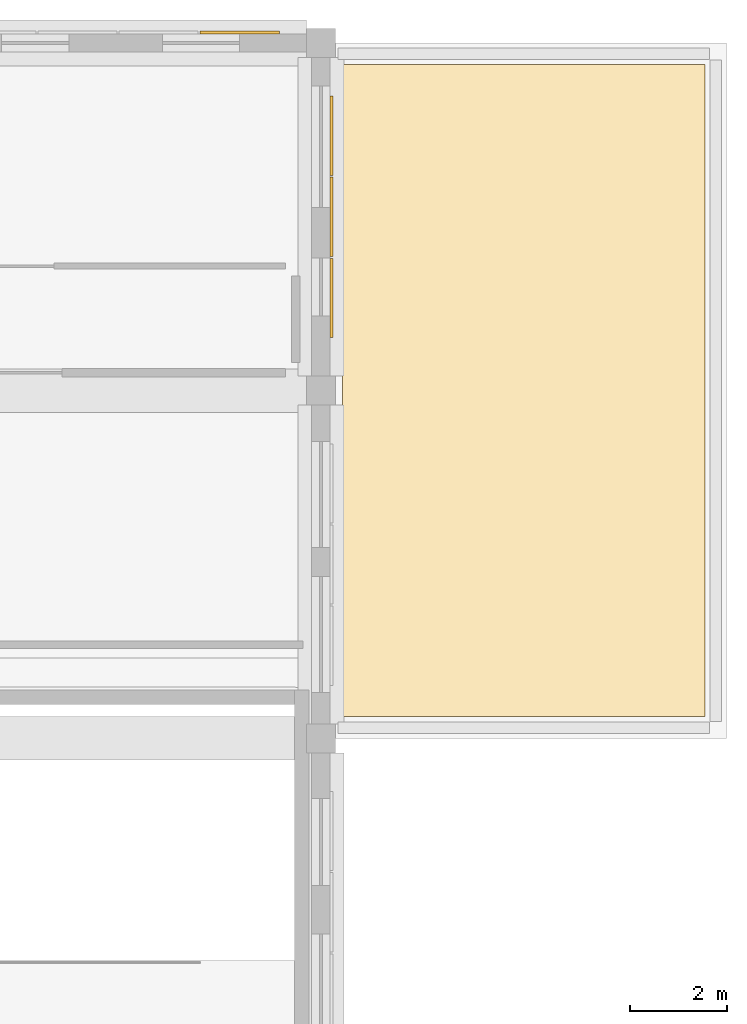
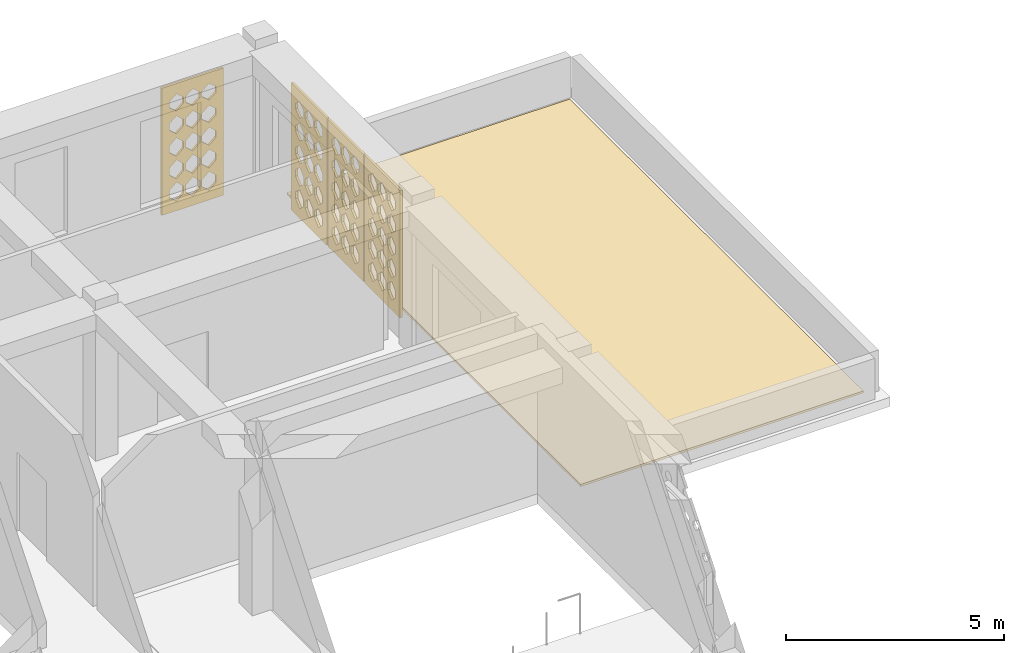
# One storey, part 28 of 28: 5 coverings.
"""IFC4 building model written with IfcOpenShell, lengths in metres."""

from ifc_helpers import new_model, si_unit, derived_unit, direction, frame, origin, place, context, subcontext, project, spatial, polyline, outline, extrude, material, layer, layer_set, type_object, element, save


model = new_model("IFC4")

# Units and contexts
model_context = context("Model", 3, precision=1e-05, world=origin(), true_north=direction((0.0, 1.0)))
body_context = subcontext(model_context, "Body", "Model", "MODEL_VIEW")
ifc_project = project(units=[si_unit("LENGTHUNIT", "METRE"), si_unit("AREAUNIT", "SQUARE_METRE"), si_unit("VOLUMEUNIT", "CUBIC_METRE"), si_unit("PLANEANGLEUNIT", "RADIAN"), si_unit("MASSUNIT", "GRAM", prefix="KILO"), derived_unit("THERMALTRANSMITTANCEUNIT", [(si_unit("POWERUNIT", "WATT"), 1), (si_unit("LENGTHUNIT", "METRE"), -2), (si_unit("THERMODYNAMICTEMPERATUREUNIT", "KELVIN"), -1)])], contexts=[model_context])

# Site, building, storey
site_placement = place(None, origin())
site = spatial("IfcSite", under=ifc_project, at=site_placement, CompositionType="ELEMENT")
building_placement = place(site_placement, origin())
building = spatial("IfcBuilding", under=site, at=building_placement, Name="Veybourne Emporium", CompositionType="ELEMENT")
storey_placement = place(building_placement, frame((0.0, 0.0, 32.10009765625)))
storey = spatial("IfcBuildingStorey", under=building, at=storey_placement, Name="L07", CompositionType="ELEMENT", Elevation=32.10009765625)

# Coverings
ifc_material_1 = material(Name="Single-Ply Warm Roof Membrane", Category="membrane")
ifc_layer_1 = layer(ifc_material_1, 0.06005859375)
ifc_layer_set_1 = layer_set([ifc_layer_1], Name="Single-Ply Warm Roof Membrane")
covering_type_1 = type_object("IfcCoveringType", Name="Roofing_RFG-01", PredefinedType="ROOFING", material=ifc_layer_set_1)
covering_1_placement = place(storey_placement, origin())
element("IfcCovering", 1, at=covering_1_placement, inside=storey, type_object=covering_type_1, Name="L07 warm-roof waterproofing membrane 2.1", PredefinedType="ROOFING", context=body_context, shape_type="SweptSolid", body=[
    extrude(outline(polyline([(50.85009765625, 49.949951171875), (58.35009765625, 49.949951171875), (58.35009765625, 36.449951171875), (50.85009765625, 36.449951171875), (50.85009765625, 49.949951171875)])), origin(), (0.0, 0.0, 1.0), 0.059814453125),
])
ifc_material_2 = material(Name="Warm-White Perforated Aluminium Screen Alloy", Category="aluminium")
ifc_layer_2 = layer(ifc_material_2, 0.06005859375)
ifc_layer_set_2 = layer_set([ifc_layer_2], Name="Warm-White Perforated Aluminium Screen Alloy")
covering_type_2 = type_object("IfcCoveringType", Name="WaveScreen_SCR-02", PredefinedType="CLADDING", material=ifc_layer_set_2)
covering_2_placement = place(storey_placement, frame((50.64794921875, 48.47998046875, 1.844970703125), z_axis=(-1.0, 0.0, 0.0), x_axis=(0.0, -1.0, 0.0)))
element("IfcCovering", 2, at=covering_2_placement, inside=storey, type_object=covering_type_2, Name="L07 wave-perforated aluminium screen SCR-02 (21.1)", PredefinedType="CLADDING", context=body_context, shape_type="SweptSolid", body=[
    extrude(outline(polyline([(-0.81982421875, -1.78515625), (0.81982421875, -1.78515625), (0.81982421875, 1.78515625), (-0.81982421875, 1.78515625), (-0.81982421875, -1.78515625)]), holes=[polyline([(-0.433349609375, -0.98291015625), (-0.2470703125, -1.155029296875), (-0.2470703125, -1.348876953125), (-0.433349609375, -1.521240234375), (-0.61962890625, -1.348876953125), (-0.61962890625, -1.155029296875), (-0.433349609375, -0.98291015625)]), polyline([(-0.433349609375, -0.36279296875), (-0.2470703125, -0.53125), (-0.2470703125, -0.720703125), (-0.433349609375, -0.88916015625), (-0.61962890625, -0.720703125), (-0.61962890625, -0.53125), (-0.433349609375, -0.36279296875)]), polyline([(-0.433349609375, 0.254638671875), (-0.2470703125, 0.091796875), (-0.2470703125, -0.091796875), (-0.433349609375, -0.254638671875), (-0.61962890625, -0.091796875), (-0.61962890625, 0.091796875), (-0.433349609375, 0.254638671875)]), polyline([(-0.433349609375, 0.870361328125), (-0.2470703125, 0.7138671875), (-0.2470703125, 0.5380859375), (-0.433349609375, 0.381591796875), (-0.61962890625, 0.5380859375), (-0.61962890625, 0.7138671875), (-0.433349609375, 0.870361328125)]), polyline([(-0.433349609375, 1.484375), (-0.2470703125, 1.335693359375), (-0.2470703125, 1.16845703125), (-0.433349609375, 1.019775390625), (-0.61962890625, 1.16845703125), (-0.61962890625, 1.335693359375), (-0.433349609375, 1.484375)]), polyline([(0.0, -0.98291015625), (0.186279296875, -1.155029296875), (0.186279296875, -1.348876953125), (0.0, -1.521240234375), (-0.186279296875, -1.348876953125), (-0.186279296875, -1.155029296875), (0.0, -0.98291015625)]), polyline([(0.0, -0.359619140625), (0.186279296875, -0.530029296875), (0.186279296875, -0.721923828125), (0.0, -0.892333984375), (-0.186279296875, -0.721923828125), (-0.186279296875, -0.530029296875), (0.0, -0.359619140625)]), polyline([(0.0, 0.2587890625), (0.186279296875, 0.093017578125), (0.186279296875, -0.093017578125), (0.0, -0.2587890625), (-0.186279296875, -0.093017578125), (-0.186279296875, 0.093017578125), (0.0, 0.2587890625)]), polyline([(0.0, 0.875), (0.186279296875, 0.7158203125), (0.186279296875, 0.536376953125), (0.0, 0.376953125), (-0.186279296875, 0.536376953125), (-0.186279296875, 0.7158203125), (0.0, 0.875)]), polyline([(0.0, 1.48974609375), (0.186279296875, 1.337646484375), (0.186279296875, 1.16650390625), (0.0, 1.01416015625), (-0.186279296875, 1.16650390625), (-0.186279296875, 1.337646484375), (0.0, 1.48974609375)]), polyline([(0.433349609375, -0.98291015625), (0.61962890625, -1.155029296875), (0.61962890625, -1.348876953125), (0.433349609375, -1.521240234375), (0.2470703125, -1.348876953125), (0.2470703125, -1.155029296875), (0.433349609375, -0.98291015625)]), polyline([(0.433349609375, -0.357177734375), (0.61962890625, -0.529296875), (0.61962890625, -0.722900390625), (0.433349609375, -0.89501953125), (0.2470703125, -0.722900390625), (0.2470703125, -0.529296875), (0.433349609375, -0.357177734375)]), polyline([(0.433349609375, 0.262451171875), (0.61962890625, 0.094482421875), (0.61962890625, -0.094482421875), (0.433349609375, -0.262451171875), (0.2470703125, -0.094482421875), (0.2470703125, 0.094482421875), (0.433349609375, 0.262451171875)]), polyline([(0.433349609375, 0.879638671875), (0.61962890625, 0.71728515625), (0.61962890625, 0.53466796875), (0.433349609375, 0.372314453125), (0.2470703125, 0.53466796875), (0.2470703125, 0.71728515625), (0.433349609375, 0.879638671875)]), polyline([(0.433349609375, 1.4951171875), (0.61962890625, 1.339599609375), (0.61962890625, 1.16455078125), (0.433349609375, 1.0087890625), (0.2470703125, 1.16455078125), (0.2470703125, 1.339599609375), (0.433349609375, 1.4951171875)])]), origin(), (0.0, 0.0, 1.0), 0.06005859375),
])
covering_3_placement = place(storey_placement, frame((48.719970703125, 50.64794921875, 1.844970703125), z_axis=(0.0, -1.0, 0.0), x_axis=(1.0, 0.0, 0.0)))
element("IfcCovering", 3, at=covering_3_placement, inside=storey, type_object=covering_type_2, Name="L07 wave-perforated aluminium screen SCR-02 (22.4)", PredefinedType="CLADDING", context=body_context, shape_type="SweptSolid", body=[
    extrude(outline(polyline([(-0.81982421875, -1.78515625), (0.81982421875, -1.78515625), (0.81982421875, 1.78515625), (-0.81982421875, 1.78515625), (-0.81982421875, -1.78515625)]), holes=[polyline([(-0.433349609375, -0.98291015625), (-0.2470703125, -1.155029296875), (-0.2470703125, -1.348876953125), (-0.433349609375, -1.521240234375), (-0.61962890625, -1.348876953125), (-0.61962890625, -1.155029296875), (-0.433349609375, -0.98291015625)]), polyline([(-0.433349609375, -0.3583984375), (-0.2470703125, -0.52978515625), (-0.2470703125, -0.722412109375), (-0.433349609375, -0.8935546875), (-0.61962890625, -0.722412109375), (-0.61962890625, -0.52978515625), (-0.433349609375, -0.3583984375)]), polyline([(-0.433349609375, 0.260498046875), (-0.2470703125, 0.09375), (-0.2470703125, -0.09375), (-0.433349609375, -0.260498046875), (-0.61962890625, -0.09375), (-0.61962890625, 0.09375), (-0.433349609375, 0.260498046875)]), polyline([(-0.433349609375, 0.877197265625), (-0.2470703125, 0.71630859375), (-0.2470703125, 0.53564453125), (-0.433349609375, 0.374755859375), (-0.61962890625, 0.53564453125), (-0.61962890625, 0.71630859375), (-0.433349609375, 0.877197265625)]), polyline([(-0.433349609375, 1.4921875), (-0.2470703125, 1.33837890625), (-0.2470703125, 1.16552734375), (-0.433349609375, 1.01171875), (-0.61962890625, 1.16552734375), (-0.61962890625, 1.33837890625), (-0.433349609375, 1.4921875)]), polyline([(0.0, -0.98291015625), (0.186279296875, -1.155029296875), (0.186279296875, -1.348876953125), (0.0, -1.521240234375), (-0.186279296875, -1.348876953125), (-0.186279296875, -1.155029296875), (0.0, -0.98291015625)]), polyline([(0.0, -0.361328125), (0.186279296875, -0.53076171875), (0.186279296875, -0.72119140625), (0.0, -0.890625), (-0.186279296875, -0.72119140625), (-0.186279296875, -0.53076171875), (0.0, -0.361328125)]), polyline([(0.0, 0.256591796875), (0.186279296875, 0.09228515625), (0.186279296875, -0.09228515625), (0.0, -0.256591796875), (-0.186279296875, -0.09228515625), (-0.186279296875, 0.09228515625), (0.0, 0.256591796875)]), polyline([(0.0, 0.87255859375), (0.186279296875, 0.714599609375), (0.186279296875, 0.537353515625), (0.0, 0.37939453125), (-0.186279296875, 0.537353515625), (-0.186279296875, 0.714599609375), (0.0, 0.87255859375)]), polyline([(0.0, 1.48681640625), (0.186279296875, 1.33642578125), (0.186279296875, 1.16748046875), (0.0, 1.01708984375), (-0.186279296875, 1.16748046875), (-0.186279296875, 1.33642578125), (0.0, 1.48681640625)]), polyline([(0.433349609375, -0.98388671875), (0.61962890625, -1.155517578125), (0.61962890625, -1.348388671875), (0.433349609375, -1.520263671875), (0.2470703125, -1.348388671875), (0.2470703125, -1.155517578125), (0.433349609375, -0.98388671875)]), polyline([(0.433349609375, -0.36474609375), (0.61962890625, -0.531982421875), (0.61962890625, -0.72021484375), (0.433349609375, -0.88720703125), (0.2470703125, -0.72021484375), (0.2470703125, -0.531982421875), (0.433349609375, -0.36474609375)]), polyline([(0.433349609375, 0.252197265625), (0.61962890625, 0.0908203125), (0.61962890625, -0.0908203125), (0.433349609375, -0.252197265625), (0.2470703125, -0.0908203125), (0.2470703125, 0.0908203125), (0.433349609375, 0.252197265625)]), polyline([(0.433349609375, 0.867431640625), (0.61962890625, 0.712890625), (0.61962890625, 0.5390625), (0.433349609375, 0.384521484375), (0.2470703125, 0.5390625), (0.2470703125, 0.712890625), (0.433349609375, 0.867431640625)]), polyline([(0.433349609375, 1.481201171875), (0.61962890625, 1.33447265625), (0.61962890625, 1.16943359375), (0.433349609375, 1.022705078125), (0.2470703125, 1.16943359375), (0.2470703125, 1.33447265625), (0.433349609375, 1.481201171875)])]), origin(), (0.0, 0.0, 1.0), 0.06005859375),
])
ifc_layer_3 = layer(ifc_material_2, 0.06005859375)
ifc_layer_set_3 = layer_set([ifc_layer_3], Name="Warm-White Perforated Aluminium Screen Alloy")
covering_type_3 = type_object("IfcCoveringType", Name="WaveScreen_SCR-03", PredefinedType="CLADDING", material=ifc_layer_set_3)
covering_4_placement = place(storey_placement, frame((50.64794921875, 46.800048828125, 1.844970703125), z_axis=(-1.0, 0.0, 0.0), x_axis=(0.0, -1.0, 0.0)))
element("IfcCovering", 4, at=covering_4_placement, inside=storey, type_object=covering_type_3, Name="L07 wave-perforated aluminium screen SCR-03 (21.2)", PredefinedType="CLADDING", context=body_context, shape_type="SweptSolid", body=[
    extrude(outline(polyline([(-0.81982421875, -1.78515625), (0.81982421875, -1.78515625), (0.81982421875, 1.78515625), (-0.81982421875, 1.78515625), (-0.81982421875, -1.78515625)]), holes=[polyline([(-0.433349609375, -0.98291015625), (-0.2470703125, -1.155029296875), (-0.2470703125, -1.348876953125), (-0.433349609375, -1.521240234375), (-0.61962890625, -1.348876953125), (-0.61962890625, -1.155029296875), (-0.433349609375, -0.98291015625)]), polyline([(-0.433349609375, -0.356689453125), (-0.2470703125, -0.529052734375), (-0.2470703125, -0.722900390625), (-0.433349609375, -0.895263671875), (-0.61962890625, -0.722900390625), (-0.61962890625, -0.529052734375), (-0.433349609375, -0.356689453125)]), polyline([(-0.433349609375, 0.26806640625), (-0.2470703125, 0.096435546875), (-0.2470703125, -0.096435546875), (-0.433349609375, -0.26806640625), (-0.61962890625, -0.096435546875), (-0.61962890625, 0.096435546875), (-0.433349609375, 0.26806640625)]), polyline([(-0.433349609375, 0.88720703125), (-0.2470703125, 0.719970703125), (-0.2470703125, 0.531982421875), (-0.433349609375, 0.364990234375), (-0.61962890625, 0.531982421875), (-0.61962890625, 0.719970703125), (-0.433349609375, 0.88720703125)]), polyline([(-0.433349609375, 1.50390625), (-0.2470703125, 1.3427734375), (-0.2470703125, 1.161376953125), (-0.433349609375, 1.0), (-0.61962890625, 1.161376953125), (-0.61962890625, 1.3427734375), (-0.433349609375, 1.50390625)]), polyline([(0.0, -0.98291015625), (0.186279296875, -1.155029296875), (0.186279296875, -1.348876953125), (0.0, -1.521240234375), (-0.186279296875, -1.348876953125), (-0.186279296875, -1.155029296875), (0.0, -0.98291015625)]), polyline([(0.0, -0.356689453125), (0.186279296875, -0.529052734375), (0.186279296875, -0.722900390625), (0.0, -0.895263671875), (-0.186279296875, -0.722900390625), (-0.186279296875, -0.529052734375), (0.0, -0.356689453125)]), polyline([(0.0, 0.269287109375), (0.186279296875, 0.096923828125), (0.186279296875, -0.096923828125), (0.0, -0.269287109375), (-0.186279296875, -0.096923828125), (-0.186279296875, 0.096923828125), (0.0, 0.269287109375)]), polyline([(0.0, 0.890380859375), (0.186279296875, 0.72119140625), (0.186279296875, 0.53076171875), (0.0, 0.361572265625), (-0.186279296875, 0.53076171875), (-0.186279296875, 0.72119140625), (0.0, 0.890380859375)]), polyline([(0.0, 1.50830078125), (0.186279296875, 1.34423828125), (0.186279296875, 1.15966796875), (0.0, 0.99560546875), (-0.186279296875, 1.15966796875), (-0.186279296875, 1.34423828125), (0.0, 1.50830078125)]), polyline([(0.433349609375, -0.98291015625), (0.61962890625, -1.155029296875), (0.61962890625, -1.348876953125), (0.433349609375, -1.521240234375), (0.2470703125, -1.348876953125), (0.2470703125, -1.155029296875), (0.433349609375, -0.98291015625)]), polyline([(0.433349609375, -0.356689453125), (0.61962890625, -0.529052734375), (0.61962890625, -0.722900390625), (0.433349609375, -0.895263671875), (0.2470703125, -0.722900390625), (0.2470703125, -0.529052734375), (0.433349609375, -0.356689453125)]), polyline([(0.433349609375, 0.269287109375), (0.61962890625, 0.096923828125), (0.61962890625, -0.096923828125), (0.433349609375, -0.269287109375), (0.2470703125, -0.096923828125), (0.2470703125, 0.096923828125), (0.433349609375, 0.269287109375)]), polyline([(0.433349609375, 0.893310546875), (0.61962890625, 0.722412109375), (0.61962890625, 0.52978515625), (0.433349609375, 0.358642578125), (0.2470703125, 0.52978515625), (0.2470703125, 0.722412109375), (0.433349609375, 0.893310546875)]), polyline([(0.433349609375, 1.51220703125), (0.61962890625, 1.345703125), (0.61962890625, 1.158203125), (0.433349609375, 0.99169921875), (0.2470703125, 1.158203125), (0.2470703125, 1.345703125), (0.433349609375, 1.51220703125)])]), origin(), (0.0, 0.0, 1.0), 0.06005859375),
])
ifc_layer_4 = layer(ifc_material_2, 0.06005859375)
ifc_layer_set_4 = layer_set([ifc_layer_4], Name="Warm-White Perforated Aluminium Screen Alloy")
covering_type_4 = type_object("IfcCoveringType", Name="WaveScreen_SCR-04", PredefinedType="CLADDING", material=ifc_layer_set_4)
covering_5_placement = place(storey_placement, frame((50.64794921875, 45.1201171875, 1.844970703125), z_axis=(-1.0, 0.0, 0.0), x_axis=(0.0, -1.0, 0.0)))
element("IfcCovering", 5, at=covering_5_placement, inside=storey, type_object=covering_type_4, Name="L07 wave-perforated aluminium screen SCR-04 (21.3)", PredefinedType="CLADDING", context=body_context, shape_type="SweptSolid", body=[
    extrude(outline(polyline([(-0.81982421875, -1.78515625), (0.81982421875, -1.78515625), (0.81982421875, 1.78515625), (-0.81982421875, 1.78515625), (-0.81982421875, -1.78515625)]), holes=[polyline([(-0.433349609375, -0.98291015625), (-0.2470703125, -1.155029296875), (-0.2470703125, -1.348876953125), (-0.433349609375, -1.521240234375), (-0.61962890625, -1.348876953125), (-0.61962890625, -1.155029296875), (-0.433349609375, -0.98291015625)]), polyline([(-0.433349609375, -0.356689453125), (-0.2470703125, -0.529052734375), (-0.2470703125, -0.722900390625), (-0.433349609375, -0.895263671875), (-0.61962890625, -0.722900390625), (-0.61962890625, -0.529052734375), (-0.433349609375, -0.356689453125)]), polyline([(-0.433349609375, 0.269287109375), (-0.2470703125, 0.096923828125), (-0.2470703125, -0.096923828125), (-0.433349609375, -0.269287109375), (-0.61962890625, -0.096923828125), (-0.61962890625, 0.096923828125), (-0.433349609375, 0.269287109375)]), polyline([(-0.433349609375, 0.895263671875), (-0.2470703125, 0.722900390625), (-0.2470703125, 0.529052734375), (-0.433349609375, 0.356689453125), (-0.61962890625, 0.529052734375), (-0.61962890625, 0.722900390625), (-0.433349609375, 0.895263671875)]), polyline([(-0.433349609375, 1.518310546875), (-0.2470703125, 1.347900390625), (-0.2470703125, 1.156005859375), (-0.433349609375, 0.985595703125), (-0.61962890625, 1.156005859375), (-0.61962890625, 1.347900390625), (-0.433349609375, 1.518310546875)]), polyline([(0.0, -0.98291015625), (0.186279296875, -1.155029296875), (0.186279296875, -1.348876953125), (0.0, -1.521240234375), (-0.186279296875, -1.348876953125), (-0.186279296875, -1.155029296875), (0.0, -0.98291015625)]), polyline([(0.0, -0.356689453125), (0.186279296875, -0.529052734375), (0.186279296875, -0.722900390625), (0.0, -0.895263671875), (-0.186279296875, -0.722900390625), (-0.186279296875, -0.529052734375), (0.0, -0.356689453125)]), polyline([(0.0, 0.269287109375), (0.186279296875, 0.096923828125), (0.186279296875, -0.096923828125), (0.0, -0.269287109375), (-0.186279296875, -0.096923828125), (-0.186279296875, 0.096923828125), (0.0, 0.269287109375)]), polyline([(0.0, 0.895263671875), (0.186279296875, 0.722900390625), (0.186279296875, 0.529052734375), (0.0, 0.356689453125), (-0.186279296875, 0.529052734375), (-0.186279296875, 0.722900390625), (0.0, 0.895263671875)]), polyline([(0.0, 1.52099609375), (0.186279296875, 1.348876953125), (0.186279296875, 1.1552734375), (0.0, 0.98291015625), (-0.186279296875, 1.1552734375), (-0.186279296875, 1.348876953125), (0.0, 1.52099609375)]), polyline([(0.433349609375, -0.9833984375), (0.61962890625, -1.1552734375), (0.61962890625, -1.3486328125), (0.433349609375, -1.520751953125), (0.2470703125, -1.3486328125), (0.2470703125, -1.1552734375), (0.433349609375, -0.9833984375)]), polyline([(0.433349609375, -0.356689453125), (0.61962890625, -0.529052734375), (0.61962890625, -0.722900390625), (0.433349609375, -0.895263671875), (0.2470703125, -0.722900390625), (0.2470703125, -0.529052734375), (0.433349609375, -0.356689453125)]), polyline([(0.433349609375, 0.269287109375), (0.61962890625, 0.096923828125), (0.61962890625, -0.096923828125), (0.433349609375, -0.269287109375), (0.2470703125, -0.096923828125), (0.2470703125, 0.096923828125), (0.433349609375, 0.269287109375)]), polyline([(0.433349609375, 0.895263671875), (0.61962890625, 0.722900390625), (0.61962890625, 0.529052734375), (0.433349609375, 0.356689453125), (0.2470703125, 0.529052734375), (0.2470703125, 0.722900390625), (0.433349609375, 0.895263671875)]), polyline([(0.433349609375, 1.521240234375), (0.61962890625, 1.348876953125), (0.61962890625, 1.155029296875), (0.433349609375, 0.98291015625), (0.2470703125, 1.155029296875), (0.2470703125, 1.348876953125), (0.433349609375, 1.521240234375)])]), origin(), (0.0, 0.0, 1.0), 0.06005859375),
])

save(model, "model.ifc")
